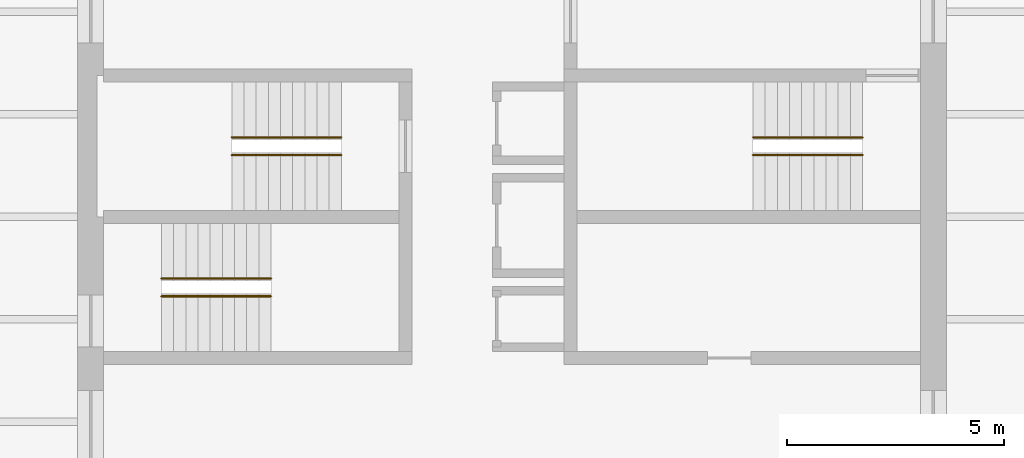
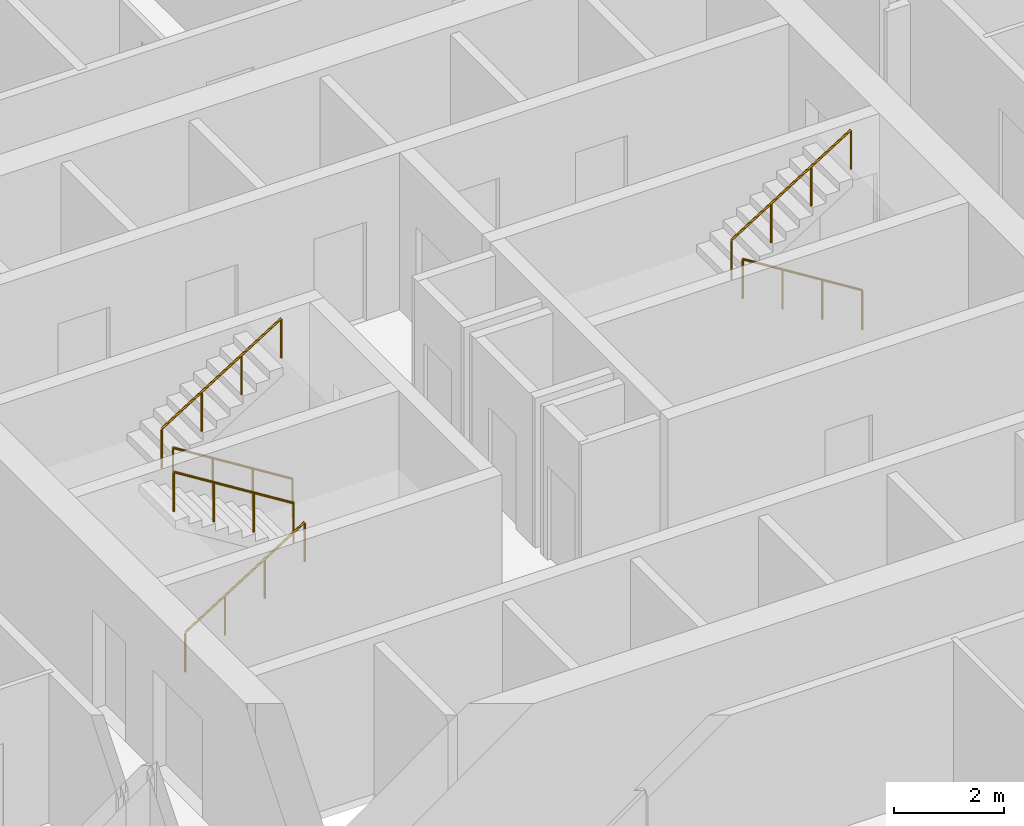
# One storey, part 9 of 9: 6 railings.
"""IFC4 building model written with IfcOpenShell, lengths in metres."""

from ifc_helpers import new_model, si_unit, direction, frame, origin, origin_2d, place, context, subcontext, project, spatial, circle, extrude, material, type_object, element, save


model = new_model("IFC4")

# Units and contexts
model_context = context("Model", 3, precision=1e-05, world=origin(), true_north=direction((0.0, 1.0)))
body_context = subcontext(model_context, "Body", "Model", "MODEL_VIEW")
ifc_project = project(units=[si_unit("LENGTHUNIT", "METRE"), si_unit("AREAUNIT", "SQUARE_METRE"), si_unit("VOLUMEUNIT", "CUBIC_METRE"), si_unit("PLANEANGLEUNIT", "RADIAN"), si_unit("MASSUNIT", "GRAM", prefix="KILO")], contexts=[model_context])

# Site, building, storey
site_placement = place(None, origin())
site = spatial("IfcSite", under=ifc_project, at=site_placement, CompositionType="ELEMENT")
building_placement = place(site_placement, origin())
building = spatial("IfcBuilding", under=site, at=building_placement, Name="Turquesa Mirador Hotel Tower", CompositionType="ELEMENT")
storey_placement = place(building_placement, frame((0.0, 0.0, 117.89990234375)))
storey = spatial("IfcBuildingStorey", under=building, at=storey_placement, Name="L31", CompositionType="ELEMENT", Elevation=117.89990234375)

# Railings
ifc_material = material(Name="Painted steel handrail", Category="steel")
railing_type = type_object("IfcRailingType", Name="HANDRAIL 900 STEEL", PredefinedType="HANDRAIL", material=ifc_material)
railing_1_placement = place(storey_placement, frame((51.070068359375, 46.419921875, 0.175048828125)))
element("IfcRailing", 1, at=railing_1_placement, inside=storey, type_object=railing_type, Name="Handrail ST1", PredefinedType="HANDRAIL", context=body_context, shape_type="SweptSolid", body=[
    extrude(circle(Radius=0.02392578125, at=origin_2d()), frame((0.0, 0.0, 0.8759765625), z_axis=(-0.848007534815, 0.0, 0.529984170421), x_axis=(0.0, -1.0, 0.0)), (0.0, 0.0, 1.0), 2.9716796875),
    extrude(circle(Radius=0.02099609375, at=origin_2d()), origin(), (0.0, 0.0, 1.0), 0.851806640625),
    extrude(circle(Radius=0.02099609375, at=origin_2d()), frame((-0.840087890625, 0.0, 0.52490234375)), (0.0, 0.0, 1.0), 0.851806640625),
    extrude(circle(Radius=0.02099609375, at=origin_2d()), frame((-1.679931640625, 0.0, 1.050048828125)), (0.0, 0.0, 1.0), 0.851806640625),
    extrude(circle(Radius=0.02099609375, at=origin_2d()), frame((-2.52001953125, 0.0, 1.574951171875)), (0.0, 0.0, 1.0), 0.851806640625),
])
for number, where, name in (
    (2, (48.550048828125, 46.830078125, 1.925048828125), "Handrail ST1"),
    (3, (46.929931640625, 43.169921875, 0.175048828125), "Handrail ST2"),
):
    element("IfcRailing", number, at=place(storey_placement, frame(where)), inside=storey, type_object=railing_type, Name=name, PredefinedType="HANDRAIL", context=body_context, shape_type="SweptSolid", body=[
        extrude(circle(Radius=0.02392578125, at=origin_2d()), frame((0.0, 0.0, 0.8759765625), z_axis=(0.848007534815, 0.0, 0.529984170421), x_axis=(0.0, 1.0, 0.0)), (0.0, 0.0, 1.0), 2.9716796875),
        extrude(circle(Radius=0.02099609375, at=origin_2d()), origin(), (0.0, 0.0, 1.0), 0.851806640625),
        extrude(circle(Radius=0.02099609375, at=origin_2d()), frame((0.840087890625, 0.0, 0.52490234375)), (0.0, 0.0, 1.0), 0.851806640625),
        extrude(circle(Radius=0.02099609375, at=origin_2d()), frame((1.679931640625, 0.0, 1.050048828125)), (0.0, 0.0, 1.0), 0.851806640625),
        extrude(circle(Radius=0.02099609375, at=origin_2d()), frame((2.52001953125, 0.0, 1.574951171875)), (0.0, 0.0, 1.0), 0.851806640625),
    ])
for number, where, name in (
    (4, (49.449951171875, 43.580078125, 1.925048828125), "Handrail ST2"),
    (5, (63.070068359375, 46.419921875, 0.175048828125), "Handrail ST3"),
):
    element("IfcRailing", number, at=place(storey_placement, frame(where)), inside=storey, type_object=railing_type, Name=name, PredefinedType="HANDRAIL", context=body_context, shape_type="SweptSolid", body=[
        extrude(circle(Radius=0.02392578125, at=origin_2d()), frame((0.0, 0.0, 0.8759765625), z_axis=(-0.848007534815, 0.0, 0.529984170421), x_axis=(0.0, -1.0, 0.0)), (0.0, 0.0, 1.0), 2.9716796875),
        extrude(circle(Radius=0.02099609375, at=origin_2d()), origin(), (0.0, 0.0, 1.0), 0.851806640625),
        extrude(circle(Radius=0.02099609375, at=origin_2d()), frame((-0.840087890625, 0.0, 0.52490234375)), (0.0, 0.0, 1.0), 0.851806640625),
        extrude(circle(Radius=0.02099609375, at=origin_2d()), frame((-1.679931640625, 0.0, 1.050048828125)), (0.0, 0.0, 1.0), 0.851806640625),
        extrude(circle(Radius=0.02099609375, at=origin_2d()), frame((-2.52001953125, 0.0, 1.574951171875)), (0.0, 0.0, 1.0), 0.851806640625),
    ])
railing_2_placement = place(storey_placement, frame((60.550048828125, 46.830078125, 1.925048828125)))
element("IfcRailing", 6, at=railing_2_placement, inside=storey, type_object=railing_type, Name="Handrail ST3", PredefinedType="HANDRAIL", context=body_context, shape_type="SweptSolid", body=[
    extrude(circle(Radius=0.02392578125, at=origin_2d()), frame((0.0, 0.0, 0.8759765625), z_axis=(0.848007534815, 0.0, 0.529984170421), x_axis=(0.0, 1.0, 0.0)), (0.0, 0.0, 1.0), 2.9716796875),
    extrude(circle(Radius=0.02099609375, at=origin_2d()), origin(), (0.0, 0.0, 1.0), 0.851806640625),
    extrude(circle(Radius=0.02099609375, at=origin_2d()), frame((0.840087890625, 0.0, 0.52490234375)), (0.0, 0.0, 1.0), 0.851806640625),
    extrude(circle(Radius=0.02099609375, at=origin_2d()), frame((1.679931640625, 0.0, 1.050048828125)), (0.0, 0.0, 1.0), 0.851806640625),
    extrude(circle(Radius=0.02099609375, at=origin_2d()), frame((2.52001953125, 0.0, 1.574951171875)), (0.0, 0.0, 1.0), 0.851806640625),
])

save(model, "model.ifc")
